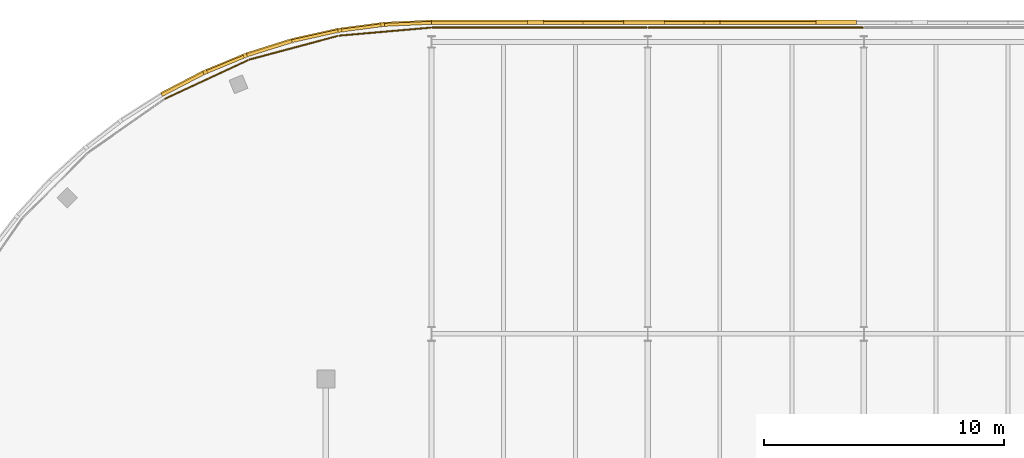
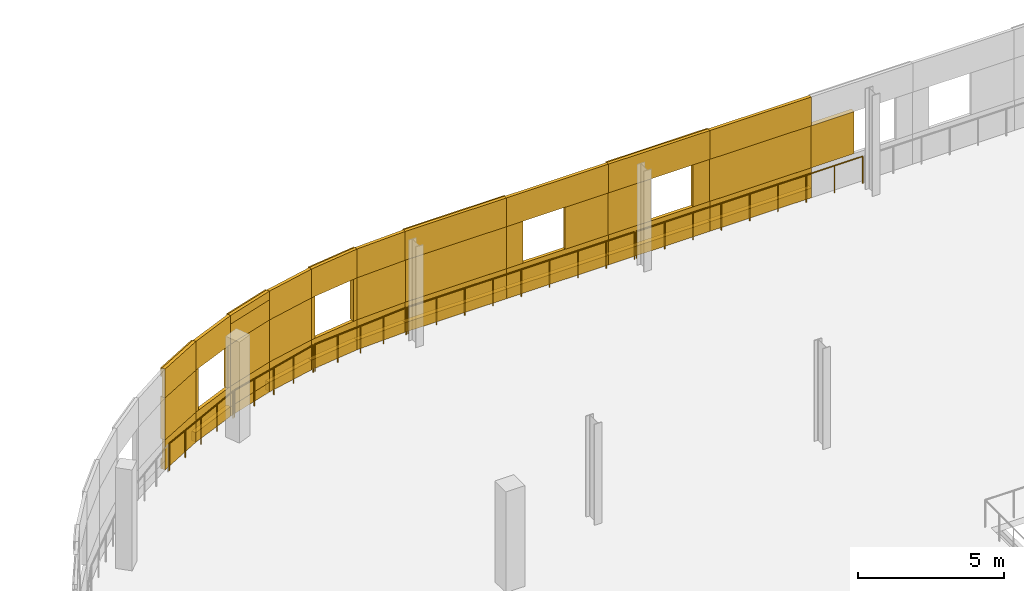
# One storey, part 94 of 103: 50 coverings, 5 railings.
"""IFC4 building model written with IfcOpenShell, lengths in metres."""

import ifcopenshell
import ifcopenshell.guid

model = None  # the IFC model being written
_history = None  # IfcOwnerHistory: only IFC2X3 demands one
_inside = {}  # id of a spatial element -> (the spatial element, [elements in it])
_under = {}  # id of a project, library or spatial element -> (it, [spatial elements below it])
_declared = {}  # id of a project -> (the project, [libraries it declares])
_typed = {}  # id of a type object -> (the type object, [elements of that type])
_made_of = {}  # id of a material, layer set ... -> (it, [elements and type objects made of it])


def new_model(schema):
    """Start an empty IFC model of exactly this schema.

    Asked for "IFC4X3", IfcOpenShell would pick the latest addendum, in which some entities
    have other attributes; the version numbers below select the first issue.
    IFC2X3 requires an IfcOwnerHistory on every rooted entity: one is made here for all.
    """
    global model, _history
    if schema == "IFC4X3":
        model = ifcopenshell.file(schema_version=(4, 3, 0, 0))
    else:
        model = ifcopenshell.file(schema=schema)
    _inside.clear()
    _under.clear()
    _declared.clear()
    _typed.clear()
    _made_of.clear()
    _history = None
    if model.schema == "IFC2X3":
        org = make("IfcOrganization", Name="unknown")
        user = make(
            "IfcPersonAndOrganization",
            ThePerson=make("IfcPerson", FamilyName="unknown"),
            TheOrganization=org,
        )
        app = make(
            "IfcApplication",
            ApplicationDeveloper=org,
            Version="unknown",
            ApplicationFullName="unknown",
            ApplicationIdentifier="unknown",
        )
        _history = make(
            "IfcOwnerHistory",
            OwningUser=user,
            OwningApplication=app,
            ChangeAction="ADDED",
            CreationDate=0,
        )
    return model


def make(cls, **values):
    """One entity of the class cls with the attributes given. An attribute that is None is left unset."""
    return model.create_entity(
        cls, **{name: value for name, value in values.items() if value is not None}
    )


def rooted(cls, **values):
    """An entity with a GlobalId (a new one), such as an element, a storey or a relation."""
    return make(cls, GlobalId=ifcopenshell.guid.new(), OwnerHistory=_history, **values)


def si_unit(unit_type, name, prefix=None):
    """IfcSIUnit, for example si_unit("LENGTHUNIT", "METRE", prefix="MILLI")."""
    return make("IfcSIUnit", UnitType=unit_type, Prefix=prefix, Name=name)


def assignment(units):
    """IfcUnitAssignment: the units of a project."""
    return None if units is None else make("IfcUnitAssignment", Units=units)


def point(xyz):
    """IfcCartesianPoint."""
    return None if xyz is None else make("IfcCartesianPoint", Coordinates=xyz)


def direction(xyz):
    """IfcDirection."""
    return None if xyz is None else make("IfcDirection", DirectionRatios=xyz)


def frame(location, z_axis=None, x_axis=None):
    """IfcAxis2Placement3D, a coordinate frame: its origin and axes. An axis left out is left unset."""
    return make(
        "IfcAxis2Placement3D",
        Location=point(location),
        Axis=direction(z_axis),
        RefDirection=direction(x_axis),
    )


def frame_2d(location, x_axis=None):
    """IfcAxis2Placement2D, a coordinate frame in the plane: its origin and x axis."""
    return make(
        "IfcAxis2Placement2D", Location=point(location), RefDirection=direction(x_axis)
    )


def origin():
    """The frame at (0, 0, 0) with its axes left unset."""
    return frame((0.0, 0.0, 0.0))


def origin_2d():
    """The frame at (0, 0) in the plane with its x axis left unset."""
    return frame_2d((0.0, 0.0))


def place(relative_to, where):
    """IfcLocalPlacement: puts the frame where relative to a parent placement (None: the world)."""
    return make(
        "IfcLocalPlacement", PlacementRelTo=relative_to, RelativePlacement=where
    )


def context(
    kind, dimensions, precision=None, world=None, true_north=None, identifier=None
):
    """IfcGeometricRepresentationContext, for example the 3D "Model" context."""
    return make(
        "IfcGeometricRepresentationContext",
        ContextIdentifier=identifier,
        ContextType=kind,
        CoordinateSpaceDimension=dimensions,
        Precision=precision,
        WorldCoordinateSystem=world,
        TrueNorth=true_north,
    )


def subcontext(parent, identifier, kind, view, scale=None):
    """IfcGeometricRepresentationSubContext, for example "Body" below "Model"."""
    return make(
        "IfcGeometricRepresentationSubContext",
        ContextIdentifier=identifier,
        ContextType=kind,
        ParentContext=parent,
        TargetScale=scale,
        TargetView=view,
    )


def project(units=None, contexts=None):
    """IfcProject with its units and contexts."""
    return rooted(
        "IfcProject",
        Name="project",
        RepresentationContexts=contexts,
        UnitsInContext=assignment(units),
    )


def spatial(cls, under=None, at=None, **own):
    """A site, building, storey or space (cls), placed at a placement, below another one or the project."""
    s = rooted(cls, ObjectPlacement=at, **own)
    if under is not None:
        _under.setdefault(under.id(), (under, []))[1].append(s)
    return s


def profile(cls, at=None, kind="AREA", **sizes):
    """A parametric profile (cls). Its sizes go by their IFC names, for example OverallWidth=200.0."""
    return make(cls, ProfileType=kind, Position=at, **sizes)


def rectangle(**sizes):
    """IfcRectangleProfileDef."""
    return profile("IfcRectangleProfileDef", **sizes)


def circle(**sizes):
    """IfcCircleProfileDef."""
    return profile("IfcCircleProfileDef", **sizes)


def extrude(swept, where, along, depth):
    """IfcExtrudedAreaSolid: the profile swept, set in the frame where, extruded along a direction by depth."""
    return make(
        "IfcExtrudedAreaSolid",
        SweptArea=swept,
        Position=where,
        ExtrudedDirection=direction(along),
        Depth=depth,
    )


def shape(context_of_items, identifier, shape_type, items):
    """IfcShapeRepresentation: the items that make up one representation, for example the "Body"."""
    return make(
        "IfcShapeRepresentation",
        ContextOfItems=context_of_items,
        RepresentationIdentifier=identifier,
        RepresentationType=shape_type,
        Items=items,
    )


def material(Name=None, Category=None):
    """IfcMaterial."""
    return make("IfcMaterial", Name=Name, Category=Category)


def layer(
    of_material, thickness, ventilated=None, Name=None, Category=None, Priority=None
):
    """IfcMaterialLayer: one layer of a wall or slab, of a material (None: an air gap)."""
    return make(
        "IfcMaterialLayer",
        Material=of_material,
        LayerThickness=thickness,
        IsVentilated=ventilated,
        Name=Name,
        Category=Category,
        Priority=Priority,
    )


def layer_set(layers, Name=None):
    """IfcMaterialLayerSet."""
    return make("IfcMaterialLayerSet", MaterialLayers=layers, LayerSetName=Name)


def made_of(thing, what):
    """Note that an element or type object is made of a material, layer set ...; save() writes the relation."""
    if what is not None:
        _made_of.setdefault(what.id(), (what, []))[1].append(thing)
    return thing


def type_object(cls, material=None, **own):
    """A type object (cls), such as IfcWallType, which elements share."""
    return made_of(rooted(cls, **own), material)


def element(
    cls,
    number,
    at=None,
    inside=None,
    cuts=None,
    type_object=None,
    material=None,
    context=None,
    identifier="Body",
    shape_type=None,
    held_by="IfcProductDefinitionShape",
    body=None,
    shapes=None,
    **own,
):
    """One element of the class cls, such as IfcWall. Its Tag is "e" and its number.

    at: its placement. inside: the storey or other place that contains it. cuts: it is an
    opening in that element (IfcRelVoidsElement). A single representation is given by context,
    identifier, shape_type and body (its items); several are given by shapes. held_by: the class
    of the entity that holds the representations. save() writes the other relations.
    """
    e = rooted(cls, Tag="e%d" % number, ObjectPlacement=at, **own)
    if body is not None:
        shapes = [shape(context, identifier, shape_type, body)]
    if shapes is not None:
        e.Representation = make(held_by, Representations=shapes)
    if inside is not None:
        _inside.setdefault(inside.id(), (inside, []))[1].append(e)
    if cuts is not None:
        rooted(
            "IfcRelVoidsElement", RelatingBuildingElement=cuts, RelatedOpeningElement=e
        )
    if type_object is not None:
        _typed.setdefault(type_object.id(), (type_object, []))[1].append(e)
    return made_of(e, material)


def aggregate(whole, parts):
    """IfcRelAggregates: a whole, such as a stair, and the parts it consists of."""
    return rooted("IfcRelAggregates", RelatingObject=whole, RelatedObjects=parts)


def save(model, path):
    """Write the relations noted so far, then the file.

    IfcRelAggregates (storeys below a building ...), IfcRelContainedInSpatialStructure (elements
    in a storey), IfcRelDefinesByType, IfcRelAssociatesMaterial and IfcRelDeclares: one each for
    every whole, place, type object, material and project.
    """
    for whole, parts in _under.values():
        aggregate(whole, parts)
    for where, things in _inside.values():
        rooted(
            "IfcRelContainedInSpatialStructure",
            RelatedElements=things,
            RelatingStructure=where,
        )
    for kind, things in _typed.values():
        rooted("IfcRelDefinesByType", RelatedObjects=things, RelatingType=kind)
    for what, things in _made_of.values():
        rooted("IfcRelAssociatesMaterial", RelatedObjects=things, RelatingMaterial=what)
    for by, libraries in _declared.values():
        rooted("IfcRelDeclares", RelatingContext=by, RelatedDefinitions=libraries)
    model.write(path)


model = new_model("IFC4")

# Units and contexts
model_context = context("Model", 3, precision=1e-05, world=origin(), true_north=direction((0.0, 1.0)))
body_context = subcontext(model_context, "Body", "Model", "MODEL_VIEW")
ifc_project = project(units=[si_unit("LENGTHUNIT", "METRE"), si_unit("AREAUNIT", "SQUARE_METRE"), si_unit("VOLUMEUNIT", "CUBIC_METRE"), si_unit("PLANEANGLEUNIT", "RADIAN"), si_unit("MASSUNIT", "GRAM", prefix="KILO")], contexts=[model_context])

# Site, building, storey
site_placement = place(None, origin())
site = spatial("IfcSite", under=ifc_project, at=site_placement, CompositionType="ELEMENT")
building_placement = place(site_placement, origin())
building = spatial("IfcBuilding", under=site, at=building_placement, Name="Deido Ridge Mobility Hub", CompositionType="ELEMENT")
storey_placement = place(building_placement, frame((0.0, 0.0, 12.60009765625)))
storey = spatial("IfcBuildingStorey", under=building, at=storey_placement, Name="L03", CompositionType="ELEMENT", Elevation=12.60009765625)

# Coverings
ifc_material_1 = material(Name="Fired clay brick masonry", Category="masonry")
ifc_layer = layer(ifc_material_1, 0.114990234375, Name="Fired clay brick masonry")
ifc_layer_set = layer_set([ifc_layer], Name="Fired clay brick masonry")
covering_type = type_object("IfcCoveringType", Name="COV-BRK-SCREEN-115", PredefinedType="CLADDING", material=ifc_layer_set)
covering_1_placement = place(storey_placement, frame((61.847412109375, 125.97509765625, 1.25), z_axis=(0.0, 0.0, 1.0), x_axis=(-1.0, 0.0, 0.0)))
element("IfcCovering", 1, at=covering_1_placement, inside=storey, type_object=covering_type, Name="Open brickwork pier BKS1 (L03)", PredefinedType="CLADDING", context=body_context, shape_type="SweptSolid", body=[
    extrude(rectangle(XDim=1.695068359375, YDim=0.179931640625, at=origin_2d()), origin(), (0.0, 0.0, 1.0), 1.75),
])
covering_2_placement = place(storey_placement, frame((59.0, 125.947509765625, 0.0), z_axis=(0.0, 0.0, 1.0), x_axis=(-1.0, 0.0, 0.0)))
element("IfcCovering", 2, at=covering_2_placement, inside=storey, type_object=covering_type, Name="Open brickwork spandrel course BKS1 (L03)", PredefinedType="CLADDING", context=body_context, shape_type="SweptSolid", body=[
    extrude(rectangle(XDim=4.01611328125, YDim=0.125, at=origin_2d()), origin(), (0.0, 0.0, 1.0), 1.25),
])
covering_3_placement = place(storey_placement, frame((59.0, 125.97509765625, 0.0), z_axis=(0.0, 0.0, 1.0), x_axis=(-1.0, 0.0, 0.0)))
element("IfcCovering", 3, at=covering_3_placement, inside=storey, type_object=covering_type, Name="Raised brick relief belt BKS1 (L03)", PredefinedType="CLADDING", context=body_context, shape_type="SweptSolid", body=[
    extrude(rectangle(XDim=4.01611328125, YDim=0.179931640625, at=origin_2d()), origin(), (0.0, 0.0, 1.0), 0.39990234375),
])
covering_4_placement = place(storey_placement, frame((59.0, 125.947509765625, 3.0), z_axis=(0.0, 0.0, 1.0), x_axis=(-1.0, 0.0, 0.0)))
element("IfcCovering", 4, at=covering_4_placement, inside=storey, type_object=covering_type, Name="Open brickwork lintel course BKS1 (L03)", PredefinedType="CLADDING", context=body_context, shape_type="SweptSolid", body=[
    extrude(rectangle(XDim=4.01611328125, YDim=0.125, at=origin_2d()), origin(), (0.0, 0.0, 1.0), 1.199951171875),
])
covering_5_placement = place(storey_placement, frame((59.0, 125.97509765625, 1.25), z_axis=(0.0, 0.0, 1.0), x_axis=(-1.0, 0.0, 0.0)))
element("IfcCovering", 5, at=covering_5_placement, inside=storey, type_object=covering_type, Name="Raised brick relief panel BKS1 (L03)", PredefinedType="CLADDING", context=body_context, shape_type="SweptSolid", body=[
    extrude(rectangle(XDim=4.008056640625, YDim=0.179931640625, at=origin_2d()), origin(), (0.0, 0.0, 1.0), 1.75),
])
covering_6_placement = place(storey_placement, frame((55.0, 125.947509765625, 0.0), z_axis=(0.0, 0.0, 1.0), x_axis=(-1.0, 0.0, 0.0)))
element("IfcCovering", 6, at=covering_6_placement, inside=storey, type_object=covering_type, Name="Open brickwork spandrel course BKS1 (L03)", PredefinedType="CLADDING", context=body_context, shape_type="SweptSolid", body=[
    extrude(rectangle(XDim=4.01611328125, YDim=0.125, at=origin_2d()), origin(), (0.0, 0.0, 1.0), 1.25),
])
covering_7_placement = place(storey_placement, frame((55.0, 125.97509765625, 0.0), z_axis=(0.0, 0.0, 1.0), x_axis=(-1.0, 0.0, 0.0)))
element("IfcCovering", 7, at=covering_7_placement, inside=storey, type_object=covering_type, Name="Raised brick relief belt BKS1 (L03)", PredefinedType="CLADDING", context=body_context, shape_type="SweptSolid", body=[
    extrude(rectangle(XDim=4.01611328125, YDim=0.179931640625, at=origin_2d()), origin(), (0.0, 0.0, 1.0), 0.39990234375),
])
covering_8_placement = place(storey_placement, frame((55.0, 125.947509765625, 3.0), z_axis=(0.0, 0.0, 1.0), x_axis=(-1.0, 0.0, 0.0)))
element("IfcCovering", 8, at=covering_8_placement, inside=storey, type_object=covering_type, Name="Open brickwork lintel course BKS1 (L03)", PredefinedType="CLADDING", context=body_context, shape_type="SweptSolid", body=[
    extrude(rectangle(XDim=4.01611328125, YDim=0.125, at=origin_2d()), origin(), (0.0, 0.0, 1.0), 1.199951171875),
])
covering_9_placement = place(storey_placement, frame((55.0, 125.97509765625, 3.83984375), z_axis=(0.0, 0.0, 1.0), x_axis=(-1.0, 0.0, 0.0)))
element("IfcCovering", 9, at=covering_9_placement, inside=storey, type_object=covering_type, Name="Raised brick relief cornice BKS1 (L03)", PredefinedType="CLADDING", context=body_context, shape_type="SweptSolid", body=[
    extrude(rectangle(XDim=4.01611328125, YDim=0.179931640625, at=origin_2d()), origin(), (0.0, 0.0, 1.0), 0.360107421875),
])
covering_10_placement = place(storey_placement, frame((56.672607421875, 125.947509765625, 1.25), z_axis=(0.0, 0.0, 1.0), x_axis=(-1.0, 0.0, 0.0)))
element("IfcCovering", 10, at=covering_10_placement, inside=storey, type_object=covering_type, Name="Open brickwork pier BKS1 (L03)", PredefinedType="CLADDING", context=body_context, shape_type="SweptSolid", body=[
    extrude(rectangle(XDim=0.655029296875, YDim=0.125, at=origin_2d()), origin(), (0.0, 0.0, 1.0), 1.75),
])
covering_11_placement = place(storey_placement, frame((53.847412109375, 125.97509765625, 1.25), z_axis=(0.0, 0.0, 1.0), x_axis=(-1.0, 0.0, 0.0)))
element("IfcCovering", 11, at=covering_11_placement, inside=storey, type_object=covering_type, Name="Open brickwork pier BKS1 (L03)", PredefinedType="CLADDING", context=body_context, shape_type="SweptSolid", body=[
    extrude(rectangle(XDim=1.695068359375, YDim=0.179931640625, at=origin_2d()), origin(), (0.0, 0.0, 1.0), 1.75),
])
covering_12_placement = place(storey_placement, frame((51.0, 125.947509765625, 0.0), z_axis=(0.0, 0.0, 1.0), x_axis=(-1.0, 0.0, 0.0)))
element("IfcCovering", 12, at=covering_12_placement, inside=storey, type_object=covering_type, Name="Open brickwork spandrel course BKS1 (L03)", PredefinedType="CLADDING", context=body_context, shape_type="SweptSolid", body=[
    extrude(rectangle(XDim=4.01611328125, YDim=0.125, at=origin_2d()), origin(), (0.0, 0.0, 1.0), 1.25),
])
covering_13_placement = place(storey_placement, frame((51.0, 125.97509765625, 0.0), z_axis=(0.0, 0.0, 1.0), x_axis=(-1.0, 0.0, 0.0)))
element("IfcCovering", 13, at=covering_13_placement, inside=storey, type_object=covering_type, Name="Raised brick relief belt BKS1 (L03)", PredefinedType="CLADDING", context=body_context, shape_type="SweptSolid", body=[
    extrude(rectangle(XDim=4.01611328125, YDim=0.179931640625, at=origin_2d()), origin(), (0.0, 0.0, 1.0), 0.39990234375),
])
covering_14_placement = place(storey_placement, frame((51.0, 125.947509765625, 3.0), z_axis=(0.0, 0.0, 1.0), x_axis=(-1.0, 0.0, 0.0)))
element("IfcCovering", 14, at=covering_14_placement, inside=storey, type_object=covering_type, Name="Open brickwork lintel course BKS1 (L03)", PredefinedType="CLADDING", context=body_context, shape_type="SweptSolid", body=[
    extrude(rectangle(XDim=4.01611328125, YDim=0.125, at=origin_2d()), origin(), (0.0, 0.0, 1.0), 1.199951171875),
])
covering_15_placement = place(storey_placement, frame((52.152587890625, 125.947509765625, 1.25), z_axis=(0.0, 0.0, 1.0), x_axis=(-1.0, 0.0, 0.0)))
element("IfcCovering", 15, at=covering_15_placement, inside=storey, type_object=covering_type, Name="Open brickwork pier BKS1 (L03)", PredefinedType="CLADDING", context=body_context, shape_type="SweptSolid", body=[
    extrude(rectangle(XDim=1.695068359375, YDim=0.125, at=origin_2d()), origin(), (0.0, 0.0, 1.0), 1.75),
])
covering_16_placement = place(storey_placement, frame((49.327392578125, 125.97509765625, 1.25), z_axis=(0.0, 0.0, 1.0), x_axis=(-1.0, 0.0, 0.0)))
element("IfcCovering", 16, at=covering_16_placement, inside=storey, type_object=covering_type, Name="Open brickwork pier BKS1 (L03)", PredefinedType="CLADDING", context=body_context, shape_type="SweptSolid", body=[
    extrude(rectangle(XDim=0.655029296875, YDim=0.179931640625, at=origin_2d()), origin(), (0.0, 0.0, 1.0), 1.75),
])
covering_17_placement = place(storey_placement, frame((47.0, 125.947509765625, 0.0), z_axis=(0.0, 0.0, 1.0), x_axis=(-1.0, 0.0, 0.0)))
element("IfcCovering", 17, at=covering_17_placement, inside=storey, type_object=covering_type, Name="Open brickwork spandrel course BKS1 (L03)", PredefinedType="CLADDING", context=body_context, shape_type="SweptSolid", body=[
    extrude(rectangle(XDim=4.01611328125, YDim=0.125, at=origin_2d()), origin(), (0.0, 0.0, 1.0), 1.25),
])
covering_18_placement = place(storey_placement, frame((47.0, 125.97509765625, 0.0), z_axis=(0.0, 0.0, 1.0), x_axis=(-1.0, 0.0, 0.0)))
element("IfcCovering", 18, at=covering_18_placement, inside=storey, type_object=covering_type, Name="Raised brick relief belt BKS1 (L03)", PredefinedType="CLADDING", context=body_context, shape_type="SweptSolid", body=[
    extrude(rectangle(XDim=4.01611328125, YDim=0.179931640625, at=origin_2d()), origin(), (0.0, 0.0, 1.0), 0.39990234375),
])
covering_19_placement = place(storey_placement, frame((47.0, 125.947509765625, 3.0), z_axis=(0.0, 0.0, 1.0), x_axis=(-1.0, 0.0, 0.0)))
element("IfcCovering", 19, at=covering_19_placement, inside=storey, type_object=covering_type, Name="Open brickwork lintel course BKS1 (L03)", PredefinedType="CLADDING", context=body_context, shape_type="SweptSolid", body=[
    extrude(rectangle(XDim=4.01611328125, YDim=0.125, at=origin_2d()), origin(), (0.0, 0.0, 1.0), 1.199951171875),
])
covering_20_placement = place(storey_placement, frame((47.0, 125.97509765625, 3.83984375), z_axis=(0.0, 0.0, 1.0), x_axis=(-1.0, 0.0, 0.0)))
element("IfcCovering", 20, at=covering_20_placement, inside=storey, type_object=covering_type, Name="Raised brick relief cornice BKS1 (L03)", PredefinedType="CLADDING", context=body_context, shape_type="SweptSolid", body=[
    extrude(rectangle(XDim=4.01611328125, YDim=0.179931640625, at=origin_2d()), origin(), (0.0, 0.0, 1.0), 0.360107421875),
])
covering_21_placement = place(storey_placement, frame((47.0, 125.97509765625, 1.25), z_axis=(0.0, 0.0, 1.0), x_axis=(-1.0, 0.0, 0.0)))
element("IfcCovering", 21, at=covering_21_placement, inside=storey, type_object=covering_type, Name="Raised brick relief panel BKS1 (L03)", PredefinedType="CLADDING", context=body_context, shape_type="SweptSolid", body=[
    extrude(rectangle(XDim=4.008056640625, YDim=0.179931640625, at=origin_2d()), origin(), (0.0, 0.0, 1.0), 1.75),
])
covering_22_placement = place(storey_placement, frame((44.021728515625, 125.90478515625, 0.0), z_axis=(0.0, 0.0, 1.0), x_axis=(-0.999048982732, -0.043601950678, 0.0)))
element("IfcCovering", 22, at=covering_22_placement, inside=storey, type_object=covering_type, Name="Open brickwork spandrel course BKS1 (L03)", PredefinedType="CLADDING", context=body_context, shape_type="SweptSolid", body=[
    extrude(rectangle(XDim=1.9619140625, YDim=0.125, at=origin_2d()), origin(), (0.0, 0.0, 1.0), 1.25),
])
covering_23_placement = place(storey_placement, frame((44.0205078125, 125.932373046875, 0.0), z_axis=(0.0, 0.0, 1.0), x_axis=(-0.999048982732, -0.043601950678, 0.0)))
element("IfcCovering", 23, at=covering_23_placement, inside=storey, type_object=covering_type, Name="Raised brick relief belt BKS1 (L03)", PredefinedType="CLADDING", context=body_context, shape_type="SweptSolid", body=[
    extrude(rectangle(XDim=1.9619140625, YDim=0.179931640625, at=origin_2d()), origin(), (0.0, 0.0, 1.0), 0.39990234375),
])
covering_24_placement = place(storey_placement, frame((44.021728515625, 125.90478515625, 3.0), z_axis=(0.0, 0.0, 1.0), x_axis=(-0.999048982732, -0.043601950678, 0.0)))
element("IfcCovering", 24, at=covering_24_placement, inside=storey, type_object=covering_type, Name="Open brickwork lintel course BKS1 (L03)", PredefinedType="CLADDING", context=body_context, shape_type="SweptSolid", body=[
    extrude(rectangle(XDim=1.9619140625, YDim=0.125, at=origin_2d()), origin(), (0.0, 0.0, 1.0), 1.199951171875),
])
covering_25_placement = place(storey_placement, frame((44.021728515625, 125.90478515625, 1.25), z_axis=(0.0, 0.0, 1.0), x_axis=(-0.999048982732, -0.043601950678, 0.0)))
element("IfcCovering", 25, at=covering_25_placement, inside=storey, type_object=covering_type, Name="Curved raised brickwork pier BKS1 (L03)", PredefinedType="CLADDING", context=body_context, shape_type="SweptSolid", body=[
    extrude(rectangle(XDim=1.9619140625, YDim=0.125, at=origin_2d()), origin(), (0.0, 0.0, 1.0), 1.75),
])
covering_26_placement = place(storey_placement, frame((42.07275390625, 125.734375, 0.0), z_axis=(0.0, 0.0, 1.0), x_axis=(-0.991442583111, -0.130543496177, 0.0)))
element("IfcCovering", 26, at=covering_26_placement, inside=storey, type_object=covering_type, Name="Open brickwork spandrel course BKS1 (L03)", PredefinedType="CLADDING", context=body_context, shape_type="SweptSolid", body=[
    extrude(rectangle(XDim=1.9619140625, YDim=0.125, at=origin_2d()), origin(), (0.0, 0.0, 1.0), 1.25),
])
covering_27_placement = place(storey_placement, frame((42.069091796875, 125.76171875, 0.0), z_axis=(0.0, 0.0, 1.0), x_axis=(-0.991442583111, -0.130543496177, 0.0)))
element("IfcCovering", 27, at=covering_27_placement, inside=storey, type_object=covering_type, Name="Raised brick relief belt BKS1 (L03)", PredefinedType="CLADDING", context=body_context, shape_type="SweptSolid", body=[
    extrude(rectangle(XDim=1.9619140625, YDim=0.179931640625, at=origin_2d()), origin(), (0.0, 0.0, 1.0), 0.39990234375),
])
covering_28_placement = place(storey_placement, frame((42.07275390625, 125.734375, 3.0), z_axis=(0.0, 0.0, 1.0), x_axis=(-0.991442583111, -0.130543496177, 0.0)))
element("IfcCovering", 28, at=covering_28_placement, inside=storey, type_object=covering_type, Name="Open brickwork lintel course BKS1 (L03)", PredefinedType="CLADDING", context=body_context, shape_type="SweptSolid", body=[
    extrude(rectangle(XDim=1.9619140625, YDim=0.125, at=origin_2d()), origin(), (0.0, 0.0, 1.0), 1.199951171875),
])
covering_29_placement = place(storey_placement, frame((42.069091796875, 125.76171875, 3.83984375), z_axis=(0.0, 0.0, 1.0), x_axis=(-0.991442583111, -0.130543496177, 0.0)))
element("IfcCovering", 29, at=covering_29_placement, inside=storey, type_object=covering_type, Name="Raised brick relief cornice BKS1 (L03)", PredefinedType="CLADDING", context=body_context, shape_type="SweptSolid", body=[
    extrude(rectangle(XDim=1.9619140625, YDim=0.179931640625, at=origin_2d()), origin(), (0.0, 0.0, 1.0), 0.360107421875),
])
for number, where, z_axis, x_axis, name in (
    (30, (42.96240234375, 125.879150390625, 1.25), (0.0, 0.0, 1.0), (-0.991442583111, -0.130543496177, 0.0), "Curved brick jamb nib BKS1 (L03)"),
    (31, (41.17578125, 125.64404296875, 1.25), (0.0, 0.0, 1.0), (-0.991442583111, -0.130543496177, 0.0), "Curved brick jamb nib BKS1 (L03)"),
):
    element("IfcCovering", number, at=place(storey_placement, frame(where, z_axis=z_axis, x_axis=x_axis)), inside=storey, type_object=covering_type, Name=name, PredefinedType="CLADDING", context=body_context, shape_type="SweptSolid", body=[
        extrude(rectangle(XDim=0.152099609375, YDim=0.179931640625, at=origin_2d()), origin(), (0.0, 0.0, 1.0), 1.75),
    ])
covering_30_placement = place(storey_placement, frame((40.14599609375, 125.39453125, 0.0), z_axis=(0.0, 0.0, 1.0), x_axis=(-0.976292229387, -0.216456653485, 0.0)))
element("IfcCovering", 32, at=covering_30_placement, inside=storey, type_object=covering_type, Name="Open brickwork spandrel course BKS1 (L03)", PredefinedType="CLADDING", context=body_context, shape_type="SweptSolid", body=[
    extrude(rectangle(XDim=1.9619140625, YDim=0.125, at=origin_2d()), origin(), (0.0, 0.0, 1.0), 1.25),
])
covering_31_placement = place(storey_placement, frame((40.14013671875, 125.42138671875, 0.0), z_axis=(0.0, 0.0, 1.0), x_axis=(-0.976292229387, -0.216456653485, 0.0)))
element("IfcCovering", 33, at=covering_31_placement, inside=storey, type_object=covering_type, Name="Raised brick relief belt BKS1 (L03)", PredefinedType="CLADDING", context=body_context, shape_type="SweptSolid", body=[
    extrude(rectangle(XDim=1.9619140625, YDim=0.179931640625, at=origin_2d()), origin(), (0.0, 0.0, 1.0), 0.39990234375),
])
covering_32_placement = place(storey_placement, frame((40.14599609375, 125.39453125, 3.0), z_axis=(0.0, 0.0, 1.0), x_axis=(-0.976292229387, -0.216456653485, 0.0)))
element("IfcCovering", 34, at=covering_32_placement, inside=storey, type_object=covering_type, Name="Open brickwork lintel course BKS1 (L03)", PredefinedType="CLADDING", context=body_context, shape_type="SweptSolid", body=[
    extrude(rectangle(XDim=1.9619140625, YDim=0.125, at=origin_2d()), origin(), (0.0, 0.0, 1.0), 1.199951171875),
])
covering_33_placement = place(storey_placement, frame((40.14599609375, 125.39453125, 1.25), z_axis=(0.0, 0.0, 1.0), x_axis=(-0.976292229387, -0.216456653485, 0.0)))
element("IfcCovering", 35, at=covering_33_placement, inside=storey, type_object=covering_type, Name="Curved raised brickwork pier BKS1 (L03)", PredefinedType="CLADDING", context=body_context, shape_type="SweptSolid", body=[
    extrude(rectangle(XDim=1.9619140625, YDim=0.125, at=origin_2d()), origin(), (0.0, 0.0, 1.0), 1.75),
])
covering_34_placement = place(storey_placement, frame((38.25634765625, 124.88818359375, 0.0), z_axis=(0.0, 0.0, 1.0), x_axis=(-0.95372744678, -0.300672508319, 0.0)))
element("IfcCovering", 36, at=covering_34_placement, inside=storey, type_object=covering_type, Name="Open brickwork spandrel course BKS1 (L03)", PredefinedType="CLADDING", context=body_context, shape_type="SweptSolid", body=[
    extrude(rectangle(XDim=1.9619140625, YDim=0.125, at=origin_2d()), origin(), (0.0, 0.0, 1.0), 1.25),
])
covering_35_placement = place(storey_placement, frame((38.248046875, 124.914306640625, 0.0), z_axis=(0.0, 0.0, 1.0), x_axis=(-0.95372744678, -0.300672508319, 0.0)))
element("IfcCovering", 37, at=covering_35_placement, inside=storey, type_object=covering_type, Name="Raised brick relief belt BKS1 (L03)", PredefinedType="CLADDING", context=body_context, shape_type="SweptSolid", body=[
    extrude(rectangle(XDim=1.9619140625, YDim=0.179931640625, at=origin_2d()), origin(), (0.0, 0.0, 1.0), 0.39990234375),
])
covering_36_placement = place(storey_placement, frame((38.25634765625, 124.88818359375, 3.0), z_axis=(0.0, 0.0, 1.0), x_axis=(-0.95372744678, -0.300672508319, 0.0)))
element("IfcCovering", 38, at=covering_36_placement, inside=storey, type_object=covering_type, Name="Open brickwork lintel course BKS1 (L03)", PredefinedType="CLADDING", context=body_context, shape_type="SweptSolid", body=[
    extrude(rectangle(XDim=1.9619140625, YDim=0.125, at=origin_2d()), origin(), (0.0, 0.0, 1.0), 1.199951171875),
])
covering_37_placement = place(storey_placement, frame((38.248046875, 124.914306640625, 3.83984375), z_axis=(0.0, 0.0, 1.0), x_axis=(-0.95372744678, -0.300672508319, 0.0)))
element("IfcCovering", 39, at=covering_37_placement, inside=storey, type_object=covering_type, Name="Raised brick relief cornice BKS1 (L03)", PredefinedType="CLADDING", context=body_context, shape_type="SweptSolid", body=[
    extrude(rectangle(XDim=1.9619140625, YDim=0.179931640625, at=origin_2d()), origin(), (0.0, 0.0, 1.0), 0.360107421875),
])
covering_38_placement = place(storey_placement, frame((38.248046875, 124.914306640625, 1.25), z_axis=(0.0, 0.0, 1.0), x_axis=(-0.95372744678, -0.300672508319, 0.0)))
element("IfcCovering", 40, at=covering_38_placement, inside=storey, type_object=covering_type, Name="Curved raised brickwork pier BKS1 (L03)", PredefinedType="CLADDING", context=body_context, shape_type="SweptSolid", body=[
    extrude(rectangle(XDim=1.9619140625, YDim=0.179931640625, at=origin_2d()), origin(), (0.0, 0.0, 1.0), 1.75),
])
covering_39_placement = place(storey_placement, frame((36.41796875, 124.218994140625, 0.0), z_axis=(0.0, 0.0, 1.0), x_axis=(-0.923872853285, -0.382699557047, 0.0)))
element("IfcCovering", 41, at=covering_39_placement, inside=storey, type_object=covering_type, Name="Open brickwork spandrel course BKS1 (L03)", PredefinedType="CLADDING", context=body_context, shape_type="SweptSolid", body=[
    extrude(rectangle(XDim=1.9619140625, YDim=0.125, at=origin_2d()), origin(), (0.0, 0.0, 1.0), 1.25),
])
covering_40_placement = place(storey_placement, frame((36.4072265625, 124.244384765625, 0.0), z_axis=(0.0, 0.0, 1.0), x_axis=(-0.923872853285, -0.382699557047, 0.0)))
element("IfcCovering", 42, at=covering_40_placement, inside=storey, type_object=covering_type, Name="Raised brick relief belt BKS1 (L03)", PredefinedType="CLADDING", context=body_context, shape_type="SweptSolid", body=[
    extrude(rectangle(XDim=1.9619140625, YDim=0.179931640625, at=origin_2d()), origin(), (0.0, 0.0, 1.0), 0.39990234375),
])
covering_41_placement = place(storey_placement, frame((36.41796875, 124.218994140625, 3.0), z_axis=(0.0, 0.0, 1.0), x_axis=(-0.923872853285, -0.382699557047, 0.0)))
element("IfcCovering", 43, at=covering_41_placement, inside=storey, type_object=covering_type, Name="Open brickwork lintel course BKS1 (L03)", PredefinedType="CLADDING", context=body_context, shape_type="SweptSolid", body=[
    extrude(rectangle(XDim=1.9619140625, YDim=0.125, at=origin_2d()), origin(), (0.0, 0.0, 1.0), 1.199951171875),
])
for number, where, z_axis, x_axis, name in (
    (44, (37.23974609375, 124.58935546875, 1.25), (0.0, 0.0, 1.0), (-0.923872853285, -0.382699557047, 0.0), "Curved brick jamb nib BKS1 (L03)"),
    (45, (35.574951171875, 123.899658203125, 1.25), (0.0, 0.0, 1.0), (-0.923872853285, -0.382699557047, 0.0), "Curved brick jamb nib BKS1 (L03)"),
):
    element("IfcCovering", number, at=place(storey_placement, frame(where, z_axis=z_axis, x_axis=x_axis)), inside=storey, type_object=covering_type, Name=name, PredefinedType="CLADDING", context=body_context, shape_type="SweptSolid", body=[
        extrude(rectangle(XDim=0.152099609375, YDim=0.179931640625, at=origin_2d()), origin(), (0.0, 0.0, 1.0), 1.75),
    ])
covering_42_placement = place(storey_placement, frame((34.644775390625, 123.392333984375, 0.0), z_axis=(0.0, 0.0, 1.0), x_axis=(-0.887018892077, -0.461733131905, 0.0)))
element("IfcCovering", 46, at=covering_42_placement, inside=storey, type_object=covering_type, Name="Open brickwork spandrel course BKS1 (L03)", PredefinedType="CLADDING", context=body_context, shape_type="SweptSolid", body=[
    extrude(rectangle(XDim=1.9619140625, YDim=0.125, at=origin_2d()), origin(), (0.0, 0.0, 1.0), 1.25),
])
covering_43_placement = place(storey_placement, frame((34.632080078125, 123.416748046875, 0.0), z_axis=(0.0, 0.0, 1.0), x_axis=(-0.887018892077, -0.461733131905, 0.0)))
element("IfcCovering", 47, at=covering_43_placement, inside=storey, type_object=covering_type, Name="Raised brick relief belt BKS1 (L03)", PredefinedType="CLADDING", context=body_context, shape_type="SweptSolid", body=[
    extrude(rectangle(XDim=1.9619140625, YDim=0.179931640625, at=origin_2d()), origin(), (0.0, 0.0, 1.0), 0.39990234375),
])
covering_44_placement = place(storey_placement, frame((34.644775390625, 123.392333984375, 3.0), z_axis=(0.0, 0.0, 1.0), x_axis=(-0.887018892077, -0.461733131905, 0.0)))
element("IfcCovering", 48, at=covering_44_placement, inside=storey, type_object=covering_type, Name="Open brickwork lintel course BKS1 (L03)", PredefinedType="CLADDING", context=body_context, shape_type="SweptSolid", body=[
    extrude(rectangle(XDim=1.9619140625, YDim=0.125, at=origin_2d()), origin(), (0.0, 0.0, 1.0), 1.199951171875),
])
covering_45_placement = place(storey_placement, frame((34.632080078125, 123.416748046875, 3.83984375), z_axis=(0.0, 0.0, 1.0), x_axis=(-0.887018892077, -0.461733131905, 0.0)))
element("IfcCovering", 49, at=covering_45_placement, inside=storey, type_object=covering_type, Name="Raised brick relief cornice BKS1 (L03)", PredefinedType="CLADDING", context=body_context, shape_type="SweptSolid", body=[
    extrude(rectangle(XDim=1.9619140625, YDim=0.179931640625, at=origin_2d()), origin(), (0.0, 0.0, 1.0), 0.360107421875),
])
covering_46_placement = place(storey_placement, frame((34.632080078125, 123.416748046875, 1.25), z_axis=(0.0, 0.0, 1.0), x_axis=(-0.887018892077, -0.461733131905, 0.0)))
element("IfcCovering", 50, at=covering_46_placement, inside=storey, type_object=covering_type, Name="Curved raised brickwork pier BKS1 (L03)", PredefinedType="CLADDING", context=body_context, shape_type="SweptSolid", body=[
    extrude(rectangle(XDim=1.9619140625, YDim=0.179931640625, at=origin_2d()), origin(), (0.0, 0.0, 1.0), 1.75),
])

# Railings
ifc_material_2 = material(Name="Galvanised steel work", Category="steel")
railing_type = type_object("IfcRailingType", Name="RL-GRD-EXT-1150", PredefinedType="GUARDRAIL", material=ifc_material_2)
for number, where, name in (
    (51, (62.9599609375, 125.75, 0.0), "Parking drum perimeter guard (L03)"),
    (52, (53.9599609375, 125.75, 0.0), "Parking drum perimeter guard (L03)"),
):
    element("IfcRailing", number, at=place(storey_placement, frame(where)), inside=storey, type_object=railing_type, Name=name, PredefinedType="GUARDRAIL", context=body_context, shape_type="SweptSolid", body=[
        extrude(circle(Radius=0.02392578125, at=origin_2d()), frame((0.0, 0.0, 1.1259765625), z_axis=(-1.0, 0.0, 0.0), x_axis=(0.0, -1.0, 0.0)), (0.0, 0.0, 1.0), 8.919921875),
        extrude(circle(Radius=0.02099609375, at=origin_2d()), origin(), (0.0, 0.0, 1.0), 1.101806640625),
        extrude(circle(Radius=0.02099609375, at=origin_2d()), frame((-1.114990234375, 0.0, 0.0)), (0.0, 0.0, 1.0), 1.101806640625),
        extrude(circle(Radius=0.02099609375, at=origin_2d()), frame((-2.22998046875, 0.0, 0.0)), (0.0, 0.0, 1.0), 1.101806640625),
        extrude(circle(Radius=0.02099609375, at=origin_2d()), frame((-3.344970703125, 0.0, 0.0)), (0.0, 0.0, 1.0), 1.101806640625),
        extrude(circle(Radius=0.02099609375, at=origin_2d()), frame((-4.4599609375, 0.0, 0.0)), (0.0, 0.0, 1.0), 1.101806640625),
        extrude(circle(Radius=0.02099609375, at=origin_2d()), frame((-5.574951171875, 0.0, 0.0)), (0.0, 0.0, 1.0), 1.101806640625),
        extrude(circle(Radius=0.02099609375, at=origin_2d()), frame((-6.68994140625, 0.0, 0.0)), (0.0, 0.0, 1.0), 1.101806640625),
        extrude(circle(Radius=0.02099609375, at=origin_2d()), frame((-7.804931640625, 0.0, 0.0)), (0.0, 0.0, 1.0), 1.101806640625),
        extrude(circle(Radius=0.02099609375, at=origin_2d()), frame((-8.919921875, 0.0, 0.0)), (0.0, 0.0, 1.0), 1.101806640625),
    ])
railing_1_placement = place(storey_placement, frame((44.960205078125, 125.74658203125, 0.0)))
element("IfcRailing", 53, at=railing_1_placement, inside=storey, type_object=railing_type, Name="Parking drum perimeter guard (L03)", PredefinedType="GUARDRAIL", context=body_context, shape_type="SweptSolid", body=[
    extrude(circle(Radius=0.02392578125, at=origin_2d()), frame((0.0, 0.0, 1.1259765625), z_axis=(-0.996195112607, -0.08715100469, 0.0), x_axis=(0.08715100469, -0.996195112607, 0.0)), (0.0, 0.0, 1.0), 3.798583984375),
    extrude(circle(Radius=0.02099609375, at=origin_2d()), origin(), (0.0, 0.0, 1.0), 1.101806640625),
    extrude(circle(Radius=0.02099609375, at=origin_2d()), frame((-0.946044921875, -0.082763671875, 0.0)), (0.0, 0.0, 1.0), 1.101806640625),
    extrude(circle(Radius=0.02099609375, at=origin_2d()), frame((-1.89208984375, -0.16552734375, 0.0)), (0.0, 0.0, 1.0), 1.101806640625),
    extrude(circle(Radius=0.02099609375, at=origin_2d()), frame((-2.838134765625, -0.248291015625, 0.0)), (0.0, 0.0, 1.0), 1.101806640625),
    extrude(circle(Radius=0.02099609375, at=origin_2d()), frame((-3.7841796875, -0.3310546875, 0.0)), (0.0, 0.0, 1.0), 1.101806640625),
])
railing_2_placement = place(storey_placement, frame((41.09765625, 125.401611328125, 0.0)))
element("IfcRailing", 54, at=railing_2_placement, inside=storey, type_object=railing_type, Name="Parking drum perimeter guard (L03)", PredefinedType="GUARDRAIL", context=body_context, shape_type="SweptSolid", body=[
    extrude(circle(Radius=0.02392578125, at=origin_2d()), frame((0.0, 0.0, 1.1259765625), z_axis=(-0.965937723757, -0.258774639064, 0.0), x_axis=(0.258774639064, -0.965937723757, 0.0)), (0.0, 0.0, 1.0), 3.79833984375),
    extrude(circle(Radius=0.02099609375, at=origin_2d()), origin(), (0.0, 0.0, 1.0), 1.101806640625),
    extrude(circle(Radius=0.02099609375, at=origin_2d()), frame((-0.917236328125, -0.24560546875, 0.0)), (0.0, 0.0, 1.0), 1.101806640625),
    extrude(circle(Radius=0.02099609375, at=origin_2d()), frame((-1.83447265625, -0.491455078125, 0.0)), (0.0, 0.0, 1.0), 1.101806640625),
    extrude(circle(Radius=0.02099609375, at=origin_2d()), frame((-2.751708984375, -0.7373046875, 0.0)), (0.0, 0.0, 1.0), 1.101806640625),
    extrude(circle(Radius=0.02099609375, at=origin_2d()), frame((-3.6689453125, -0.98291015625, 0.0)), (0.0, 0.0, 1.0), 1.101806640625),
])
railing_3_placement = place(storey_placement, frame((37.353759765625, 124.391357421875, 0.0)))
element("IfcRailing", 55, at=railing_3_placement, inside=storey, type_object=railing_type, Name="Parking drum perimeter guard (L03)", PredefinedType="GUARDRAIL", context=body_context, shape_type="SweptSolid", body=[
    extrude(circle(Radius=0.02392578125, at=origin_2d()), frame((0.0, 0.0, 1.1259765625), z_axis=(-0.906281639574, -0.422674330627, 0.0), x_axis=(0.422674330627, -0.906281639574, 0.0)), (0.0, 0.0, 1.0), 3.79833984375),
    extrude(circle(Radius=0.02099609375, at=origin_2d()), origin(), (0.0, 0.0, 1.0), 1.101806640625),
    extrude(circle(Radius=0.02099609375, at=origin_2d()), frame((-0.860595703125, -0.4013671875, 0.0)), (0.0, 0.0, 1.0), 1.101806640625),
    extrude(circle(Radius=0.02099609375, at=origin_2d()), frame((-1.72119140625, -0.802734375, 0.0)), (0.0, 0.0, 1.0), 1.101806640625),
    extrude(circle(Radius=0.02099609375, at=origin_2d()), frame((-2.581787109375, -1.2041015625, 0.0)), (0.0, 0.0, 1.0), 1.101806640625),
    extrude(circle(Radius=0.02099609375, at=origin_2d()), frame((-3.4423828125, -1.60546875, 0.0)), (0.0, 0.0, 1.0), 1.101806640625),
])

save(model, "model.ifc")
